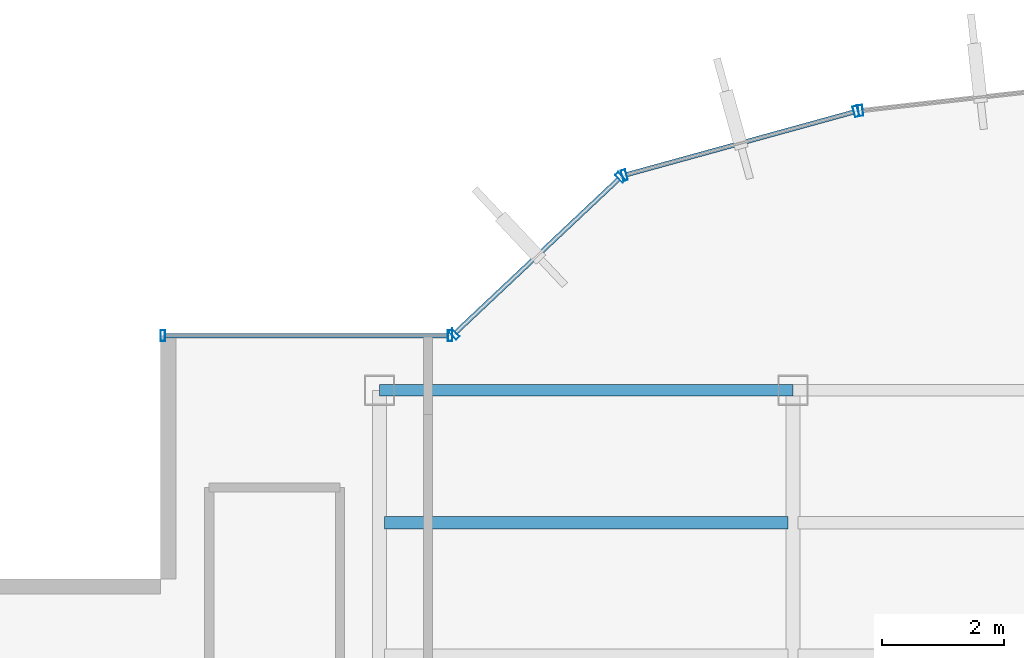
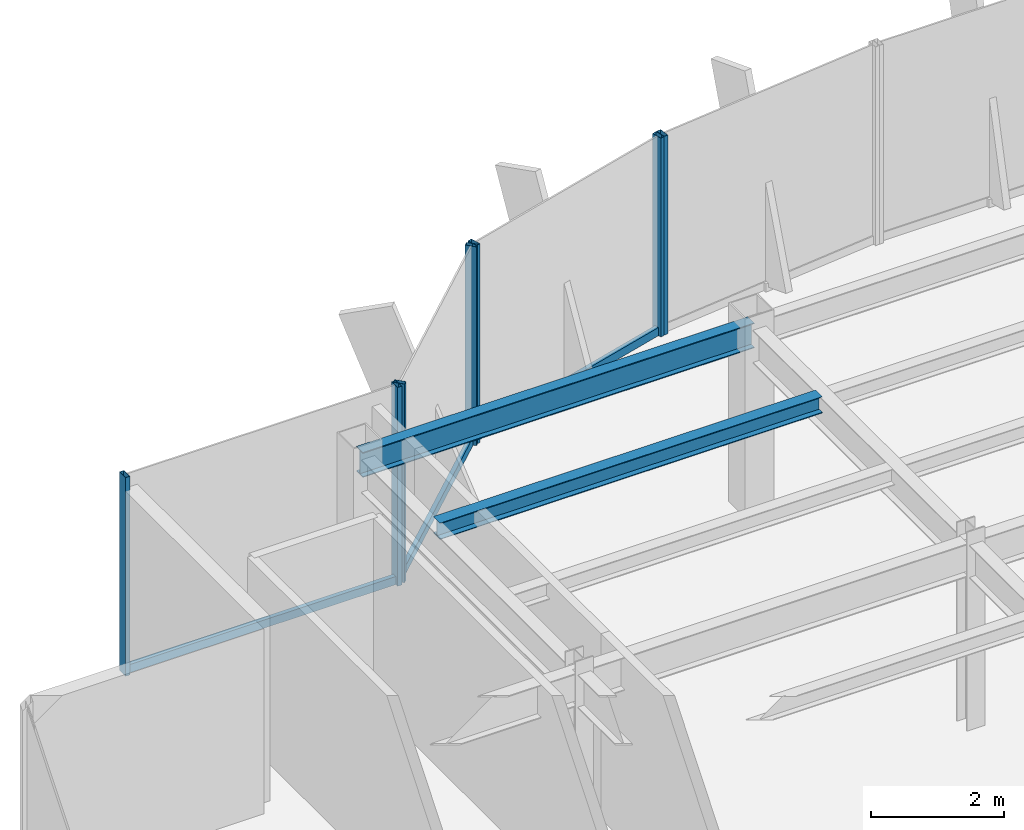
# One storey, part 12 of 22: 10 members, 2 beams, 4 elements without a shape of their own.
"""IFC4 building model written with IfcOpenShell, lengths in metres."""

from ifc_helpers import new_model, si_unit, derived_unit, direction, frame, origin, origin_2d, place, context, subcontext, project, spatial, hollow_rectangle, i_section, extrude, source, transform, mapped, material, material_profile, profile_set, type_object, element, aggregate, save


model = new_model("IFC4")

# Units and contexts
model_context = context("Model", 3, precision=1e-05, world=origin(), true_north=direction((0.0, 1.0)))
body_context = subcontext(model_context, "Body", "Model", "MODEL_VIEW")
ifc_project = project(units=[si_unit("LENGTHUNIT", "METRE"), si_unit("AREAUNIT", "SQUARE_METRE"), si_unit("VOLUMEUNIT", "CUBIC_METRE"), si_unit("PLANEANGLEUNIT", "RADIAN"), si_unit("MASSUNIT", "GRAM", prefix="KILO"), derived_unit("THERMALTRANSMITTANCEUNIT", [(si_unit("POWERUNIT", "WATT"), 1), (si_unit("LENGTHUNIT", "METRE"), -2), (si_unit("THERMODYNAMICTEMPERATUREUNIT", "KELVIN"), -1)])], contexts=[model_context])

# Site, building, storey
site_placement = place(None, origin())
site = spatial("IfcSite", under=ifc_project, at=site_placement, CompositionType="ELEMENT")
building_placement = place(site_placement, origin())
building = spatial("IfcBuilding", under=site, at=building_placement, Name="Skarnbrae Concourse Arena and Tower", CompositionType="ELEMENT")
storey_placement = place(building_placement, frame((0.0, 0.0, 284.35009765625)))
storey = spatial("IfcBuildingStorey", under=building, at=storey_placement, Name="L74", CompositionType="ELEMENT", Elevation=284.35009765625)

# Beams
ifc_material_1 = material(Name="Steel CSA G40.21 350W", Category="steel")
ifc_material_profile_1 = material_profile(ifc_material_1, i_section(OverallWidth=0.19091796875, OverallDepth=0.4599609375, WebThickness=0.010009765625, FlangeThickness=0.01611328125, at=origin_2d()), Name="W460X82")
ifc_profile_set_1 = profile_set([ifc_material_profile_1], Name="Steel CSA G40.21 350W")
beam_type_1 = type_object("IfcBeamType", Name="BM-SPAN-W460X82", PredefinedType="SPANDREL", material=ifc_profile_set_1)
shared_shape_1 = source(origin(), body_context, "Body", "SweptSolid", [
    extrude(i_section(OverallWidth=0.19091796875, OverallDepth=0.4599609375, WebThickness=0.010009765625, FlangeThickness=0.01611328125, at=origin_2d()), origin(), (0.0, 0.0, 1.0), 6.7998046875),
])
beam_1_placement = place(storey_placement, frame((7.60009765625, 34.39990234375, 3.169921875), z_axis=(1.0, 0.0, 0.0), x_axis=(0.0, 1.0, 0.0)))
element("IfcBeam", 1, at=beam_1_placement, inside=storey, type_object=beam_type_1, Name="L74 Perimeter spandrel Y34.4-1", PredefinedType="SPANDREL", context=body_context, shape_type="MappedRepresentation", body=[
    mapped(shared_shape_1, transform((0.0, 0.0, 0.0))),
])
ifc_material_profile_2 = material_profile(ifc_material_1, i_section(OverallWidth=0.202880859375, OverallDepth=0.302978515625, WebThickness=0.007568359375, FlangeThickness=0.01318359375, at=origin_2d()), Name="W310X60")
ifc_profile_set_2 = profile_set([ifc_material_profile_2], Name="Steel CSA G40.21 350W")
beam_type_2 = type_object("IfcBeamType", Name="BM-JOIST-W310X60", PredefinedType="JOIST", material=ifc_profile_set_2)
shared_shape_2 = source(origin(), body_context, "Body", "SweptSolid", [
    extrude(i_section(OverallWidth=0.202880859375, OverallDepth=0.302978515625, WebThickness=0.007568359375, FlangeThickness=0.01318359375, at=origin_2d()), origin(), (0.0, 0.0, 1.0), 6.64013671875),
])
beam_2_placement = place(storey_placement, frame((7.679931640625, 32.221923828125, 3.248291015625), z_axis=(1.0, 0.0, 0.0), x_axis=(0.0, 1.0, 0.0)))
element("IfcBeam", 2, at=beam_2_placement, inside=storey, type_object=beam_type_2, Name="L74 Secondary floor joist 3.2.1", PredefinedType="JOIST", context=body_context, shape_type="MappedRepresentation", body=[
    mapped(shared_shape_2, transform((0.0, 0.0, 0.0))),
])

# Curtain wall, member
ifc_material_2 = material(Name="Bronze anodised aluminium 6063-T6", Category="aluminium")
curtain_wall_type = type_object("IfcCurtainWallType", Name="CW-SYS-05-HIGHZONE", PredefinedType="USERDEFINED", material=ifc_material_2)
curtain_wall_1_placement = place(storey_placement, origin())
curtain_wall_1 = element("IfcCurtainWall", 3, at=curtain_wall_1_placement, inside=storey, type_object=curtain_wall_type, Name="L74 Unitised curtain wall CW-L74-E12", ObjectType="UNITISED CURTAIN WALL", PredefinedType="USERDEFINED")
ifc_material_profile_3 = material_profile(ifc_material_2, hollow_rectangle(XDim=0.074951171875, YDim=0.179931640625, WallThickness=0.00390625, at=origin_2d()), Name="ALU-MULL-75X180")
ifc_profile_set_3 = profile_set([ifc_material_profile_3], Name="Bronze anodised aluminium 6063-T6")
member_type_1 = type_object("IfcMemberType", Name="CWM-CW-05", PredefinedType="MULLION", material=ifc_profile_set_3)
shared_shape_3 = source(origin(), body_context, "Body", "SweptSolid", [
    extrude(hollow_rectangle(XDim=0.074951171875, YDim=0.179931640625, WallThickness=0.00390625, at=origin_2d()), origin(), (0.0, 0.0, 1.0), 3.64990234375),
])
member_1_placement = place(storey_placement, frame((15.511474609375, 39.001220703125, 0.0), z_axis=(0.0, 0.0, 1.0), x_axis=(-0.993768891873, -0.111460259941, 0.0)))
member_1 = element("IfcMember", 4, at=member_1_placement, type_object=member_type_1, Name="CW-L74-E12 Mullion 2", PredefinedType="MULLION", context=body_context, shape_type="MappedRepresentation", body=[
    mapped(shared_shape_3, transform((0.0, 0.0, 0.0))),
])
aggregate(curtain_wall_1, [member_1])

# Curtain wall, members
curtain_wall_2_placement = place(storey_placement, origin())
curtain_wall_2 = element("IfcCurtainWall", 5, at=curtain_wall_2_placement, inside=storey, type_object=curtain_wall_type, Name="L74 Unitised curtain wall CW-L74-E13", ObjectType="UNITISED CURTAIN WALL", PredefinedType="USERDEFINED")
member_2_placement = place(storey_placement, frame((15.43798828125, 38.987060546875, 0.0), z_axis=(0.0, 0.0, 1.0), x_axis=(-0.964057388766, -0.265694093207, 0.0)))
member_2 = element("IfcMember", 6, at=member_2_placement, type_object=member_type_1, Name="CW-L74-E13 Mullion 1", PredefinedType="MULLION", context=body_context, shape_type="MappedRepresentation", body=[
    mapped(shared_shape_3, transform((0.0, 0.0, 0.0))),
])
member_3_placement = place(storey_placement, frame((11.62646484375, 37.936767578125, 0.0), z_axis=(0.0, 0.0, 1.0), x_axis=(-0.964057388766, -0.265694093207, 0.0)))
member_3 = element("IfcMember", 7, at=member_3_placement, type_object=member_type_1, Name="CW-L74-E13 Mullion 2", PredefinedType="MULLION", context=body_context, shape_type="MappedRepresentation", body=[
    mapped(shared_shape_3, transform((0.0, 0.0, 0.0))),
])

curtain_wall_3_placement = place(storey_placement, origin())
curtain_wall_3 = element("IfcCurtainWall", 8, at=curtain_wall_3_placement, inside=storey, type_object=curtain_wall_type, Name="L74 Unitised curtain wall CW-L74-E14", ObjectType="UNITISED CURTAIN WALL", PredefinedType="USERDEFINED")
member_4_placement = place(storey_placement, frame((11.56298828125, 37.90087890625, 0.0), z_axis=(0.0, 0.0, 1.0), x_axis=(-0.728130555214, -0.685438468838, 0.0)))
member_4 = element("IfcMember", 9, at=member_4_placement, type_object=member_type_1, Name="CW-L74-E14 Mullion 1", PredefinedType="MULLION", context=body_context, shape_type="MappedRepresentation", body=[
    mapped(shared_shape_3, transform((0.0, 0.0, 0.0))),
])
member_5_placement = place(storey_placement, frame((8.827392578125, 35.32568359375, 0.0), z_axis=(0.0, 0.0, 1.0), x_axis=(-0.728130555214, -0.685438468838, 0.0)))
member_5 = element("IfcMember", 10, at=member_5_placement, type_object=member_type_1, Name="CW-L74-E14 Mullion 2", PredefinedType="MULLION", context=body_context, shape_type="MappedRepresentation", body=[
    mapped(shared_shape_3, transform((0.0, 0.0, 0.0))),
])

curtain_wall_4_placement = place(storey_placement, origin())
curtain_wall_4 = element("IfcCurtainWall", 11, at=curtain_wall_4_placement, inside=storey, type_object=curtain_wall_type, Name="L74 Unitised curtain wall CW-L74-E15", ObjectType="UNITISED CURTAIN WALL", PredefinedType="USERDEFINED")
member_6_placement = place(storey_placement, frame((8.762451171875, 35.300048828125, 0.0), z_axis=(0.0, 0.0, 1.0), x_axis=(-1.0, 0.0, 0.0)))
member_6 = element("IfcMember", 12, at=member_6_placement, type_object=member_type_1, Name="CW-L74-E15 Mullion 1", PredefinedType="MULLION", context=body_context, shape_type="MappedRepresentation", body=[
    mapped(shared_shape_3, transform((0.0, 0.0, 0.0))),
])
member_7_placement = place(storey_placement, frame((4.03759765625, 35.300048828125, 0.0), z_axis=(0.0, 0.0, 1.0), x_axis=(-1.0, 0.0, 0.0)))
member_7 = element("IfcMember", 13, at=member_7_placement, type_object=member_type_1, Name="CW-L74-E15 Mullion 2", PredefinedType="MULLION", context=body_context, shape_type="MappedRepresentation", body=[
    mapped(shared_shape_3, transform((0.0, 0.0, 0.0))),
])
ifc_material_profile_4 = material_profile(ifc_material_2, hollow_rectangle(XDim=0.074951171875, YDim=0.14990234375, WallThickness=0.00390625, at=origin_2d()), Name="ALU-TRAN-75X150")
ifc_profile_set_4 = profile_set([ifc_material_profile_4], Name="Bronze anodised aluminium 6063-T6")
member_type_2 = type_object("IfcMemberType", Name="CWT-CW-05", PredefinedType="USERDEFINED", material=ifc_profile_set_4)
shared_shape_4 = source(origin(), body_context, "Body", "SweptSolid", [
    extrude(hollow_rectangle(XDim=0.074951171875, YDim=0.14990234375, WallThickness=0.00390625, at=origin_2d()), origin(), (0.0, 0.0, 1.0), 4.650146484375),
])
member_8_placement = place(storey_placement, frame((8.72509765625, 35.300048828125, 0.074951171875), z_axis=(-1.0, 0.0, 0.0), x_axis=(0.0, -1.0, 0.0)))
member_8 = element("IfcMember", 14, at=member_8_placement, type_object=member_type_2, Name="CW-L74-E15 Transom 1", ObjectType="TRANSOM", PredefinedType="USERDEFINED", context=body_context, shape_type="MappedRepresentation", body=[
    mapped(shared_shape_4, transform((0.0, 0.0, 0.0))),
])
aggregate(curtain_wall_4, [member_6, member_7, member_8])

# Member
shared_shape_5 = source(origin(), body_context, "Body", "SweptSolid", [
    extrude(hollow_rectangle(XDim=0.074951171875, YDim=0.14990234375, WallThickness=0.00390625, at=origin_2d()), origin(), (0.0, 0.0, 1.0), 3.68212890625),
])
member_9_placement = place(storey_placement, frame((11.53564453125, 37.875244140625, 0.074951171875), z_axis=(-0.728133808476, -0.685435012933, 0.0), x_axis=(0.685435012933, -0.728133808476, 0.0)))
member_9 = element("IfcMember", 15, at=member_9_placement, type_object=member_type_2, Name="CW-L74-E14 Transom 1", ObjectType="TRANSOM", PredefinedType="USERDEFINED", context=body_context, shape_type="MappedRepresentation", body=[
    mapped(shared_shape_5, transform((0.0, 0.0, 0.0))),
])

aggregate(curtain_wall_3, [member_4, member_5, member_9])

shared_shape_6 = source(origin(), body_context, "Body", "SweptSolid", [
    extrude(hollow_rectangle(XDim=0.074951171875, YDim=0.14990234375, WallThickness=0.00390625, at=origin_2d()), origin(), (0.0, 0.0, 1.0), 3.878662109375),
])
member_10_placement = place(storey_placement, frame((15.40185546875, 38.977294921875, 0.074951171875), z_axis=(-0.964042677713, -0.265747465742, 0.0), x_axis=(0.265747465742, -0.964042677713, 0.0)))
member_10 = element("IfcMember", 16, at=member_10_placement, type_object=member_type_2, Name="CW-L74-E13 Transom 1", ObjectType="TRANSOM", PredefinedType="USERDEFINED", context=body_context, shape_type="MappedRepresentation", body=[
    mapped(shared_shape_6, transform((0.0, 0.0, 0.0))),
])

aggregate(curtain_wall_2, [member_2, member_3, member_10])

save(model, "model.ifc")
